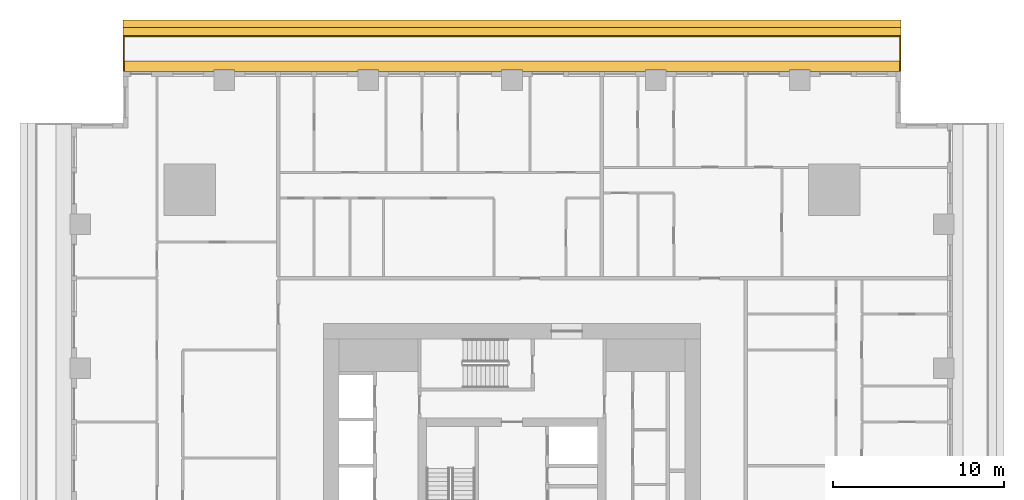
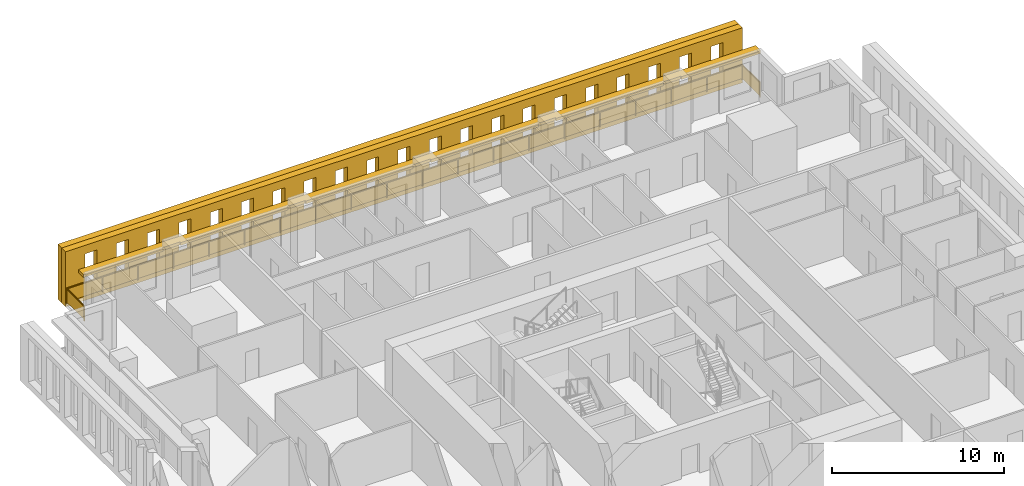
# One storey, part 15 of 15: 3 shading devices, 1 railing.
"""IFC4 building model written with IfcOpenShell, lengths in metres."""

import ifcopenshell
import ifcopenshell.guid

model = None  # the IFC model being written
_history = None  # IfcOwnerHistory: only IFC2X3 demands one
_inside = {}  # id of a spatial element -> (the spatial element, [elements in it])
_under = {}  # id of a project, library or spatial element -> (it, [spatial elements below it])
_declared = {}  # id of a project -> (the project, [libraries it declares])
_typed = {}  # id of a type object -> (the type object, [elements of that type])
_made_of = {}  # id of a material, layer set ... -> (it, [elements and type objects made of it])


def new_model(schema):
    """Start an empty IFC model of exactly this schema.

    Asked for "IFC4X3", IfcOpenShell would pick the latest addendum, in which some entities
    have other attributes; the version numbers below select the first issue.
    IFC2X3 requires an IfcOwnerHistory on every rooted entity: one is made here for all.
    """
    global model, _history
    if schema == "IFC4X3":
        model = ifcopenshell.file(schema_version=(4, 3, 0, 0))
    else:
        model = ifcopenshell.file(schema=schema)
    _inside.clear()
    _under.clear()
    _declared.clear()
    _typed.clear()
    _made_of.clear()
    _history = None
    if model.schema == "IFC2X3":
        org = make("IfcOrganization", Name="unknown")
        user = make(
            "IfcPersonAndOrganization",
            ThePerson=make("IfcPerson", FamilyName="unknown"),
            TheOrganization=org,
        )
        app = make(
            "IfcApplication",
            ApplicationDeveloper=org,
            Version="unknown",
            ApplicationFullName="unknown",
            ApplicationIdentifier="unknown",
        )
        _history = make(
            "IfcOwnerHistory",
            OwningUser=user,
            OwningApplication=app,
            ChangeAction="ADDED",
            CreationDate=0,
        )
    return model


def make(cls, **values):
    """One entity of the class cls with the attributes given. An attribute that is None is left unset."""
    return model.create_entity(
        cls, **{name: value for name, value in values.items() if value is not None}
    )


def rooted(cls, **values):
    """An entity with a GlobalId (a new one), such as an element, a storey or a relation."""
    return make(cls, GlobalId=ifcopenshell.guid.new(), OwnerHistory=_history, **values)


def si_unit(unit_type, name, prefix=None):
    """IfcSIUnit, for example si_unit("LENGTHUNIT", "METRE", prefix="MILLI")."""
    return make("IfcSIUnit", UnitType=unit_type, Prefix=prefix, Name=name)


def assignment(units):
    """IfcUnitAssignment: the units of a project."""
    return None if units is None else make("IfcUnitAssignment", Units=units)


def point(xyz):
    """IfcCartesianPoint."""
    return None if xyz is None else make("IfcCartesianPoint", Coordinates=xyz)


def direction(xyz):
    """IfcDirection."""
    return None if xyz is None else make("IfcDirection", DirectionRatios=xyz)


def frame(location, z_axis=None, x_axis=None):
    """IfcAxis2Placement3D, a coordinate frame: its origin and axes. An axis left out is left unset."""
    return make(
        "IfcAxis2Placement3D",
        Location=point(location),
        Axis=direction(z_axis),
        RefDirection=direction(x_axis),
    )


def frame_2d(location, x_axis=None):
    """IfcAxis2Placement2D, a coordinate frame in the plane: its origin and x axis."""
    return make(
        "IfcAxis2Placement2D", Location=point(location), RefDirection=direction(x_axis)
    )


def origin():
    """The frame at (0, 0, 0) with its axes left unset."""
    return frame((0.0, 0.0, 0.0))


def origin_2d():
    """The frame at (0, 0) in the plane with its x axis left unset."""
    return frame_2d((0.0, 0.0))


def place(relative_to, where):
    """IfcLocalPlacement: puts the frame where relative to a parent placement (None: the world)."""
    return make(
        "IfcLocalPlacement", PlacementRelTo=relative_to, RelativePlacement=where
    )


def context(
    kind, dimensions, precision=None, world=None, true_north=None, identifier=None
):
    """IfcGeometricRepresentationContext, for example the 3D "Model" context."""
    return make(
        "IfcGeometricRepresentationContext",
        ContextIdentifier=identifier,
        ContextType=kind,
        CoordinateSpaceDimension=dimensions,
        Precision=precision,
        WorldCoordinateSystem=world,
        TrueNorth=true_north,
    )


def subcontext(parent, identifier, kind, view, scale=None):
    """IfcGeometricRepresentationSubContext, for example "Body" below "Model"."""
    return make(
        "IfcGeometricRepresentationSubContext",
        ContextIdentifier=identifier,
        ContextType=kind,
        ParentContext=parent,
        TargetScale=scale,
        TargetView=view,
    )


def project(units=None, contexts=None):
    """IfcProject with its units and contexts."""
    return rooted(
        "IfcProject",
        Name="project",
        RepresentationContexts=contexts,
        UnitsInContext=assignment(units),
    )


def spatial(cls, under=None, at=None, **own):
    """A site, building, storey or space (cls), placed at a placement, below another one or the project."""
    s = rooted(cls, ObjectPlacement=at, **own)
    if under is not None:
        _under.setdefault(under.id(), (under, []))[1].append(s)
    return s


def polyline(points):
    """IfcPolyline through the points."""
    return make("IfcPolyline", Points=[point(p) for p in points])


def profile(cls, at=None, kind="AREA", **sizes):
    """A parametric profile (cls). Its sizes go by their IFC names, for example OverallWidth=200.0."""
    return make(cls, ProfileType=kind, Position=at, **sizes)


def rectangle(**sizes):
    """IfcRectangleProfileDef."""
    return profile("IfcRectangleProfileDef", **sizes)


def outline(outer, holes=None, kind="AREA"):
    """IfcArbitraryClosedProfileDef: a profile drawn as a closed curve; with holes, ...WithVoids."""
    if holes is None:
        return make("IfcArbitraryClosedProfileDef", ProfileType=kind, OuterCurve=outer)
    return make(
        "IfcArbitraryProfileDefWithVoids",
        ProfileType=kind,
        OuterCurve=outer,
        InnerCurves=holes,
    )


def extrude(swept, where, along, depth):
    """IfcExtrudedAreaSolid: the profile swept, set in the frame where, extruded along a direction by depth."""
    return make(
        "IfcExtrudedAreaSolid",
        SweptArea=swept,
        Position=where,
        ExtrudedDirection=direction(along),
        Depth=depth,
    )


def shape(context_of_items, identifier, shape_type, items):
    """IfcShapeRepresentation: the items that make up one representation, for example the "Body"."""
    return make(
        "IfcShapeRepresentation",
        ContextOfItems=context_of_items,
        RepresentationIdentifier=identifier,
        RepresentationType=shape_type,
        Items=items,
    )


def material(Name=None, Category=None):
    """IfcMaterial."""
    return make("IfcMaterial", Name=Name, Category=Category)


def layer(
    of_material, thickness, ventilated=None, Name=None, Category=None, Priority=None
):
    """IfcMaterialLayer: one layer of a wall or slab, of a material (None: an air gap)."""
    return make(
        "IfcMaterialLayer",
        Material=of_material,
        LayerThickness=thickness,
        IsVentilated=ventilated,
        Name=Name,
        Category=Category,
        Priority=Priority,
    )


def layer_set(layers, Name=None):
    """IfcMaterialLayerSet."""
    return make("IfcMaterialLayerSet", MaterialLayers=layers, LayerSetName=Name)


def made_of(thing, what):
    """Note that an element or type object is made of a material, layer set ...; save() writes the relation."""
    if what is not None:
        _made_of.setdefault(what.id(), (what, []))[1].append(thing)
    return thing


def type_object(cls, material=None, **own):
    """A type object (cls), such as IfcWallType, which elements share."""
    return made_of(rooted(cls, **own), material)


def element(
    cls,
    number,
    at=None,
    inside=None,
    cuts=None,
    type_object=None,
    material=None,
    context=None,
    identifier="Body",
    shape_type=None,
    held_by="IfcProductDefinitionShape",
    body=None,
    shapes=None,
    **own,
):
    """One element of the class cls, such as IfcWall. Its Tag is "e" and its number.

    at: its placement. inside: the storey or other place that contains it. cuts: it is an
    opening in that element (IfcRelVoidsElement). A single representation is given by context,
    identifier, shape_type and body (its items); several are given by shapes. held_by: the class
    of the entity that holds the representations. save() writes the other relations.
    """
    e = rooted(cls, Tag="e%d" % number, ObjectPlacement=at, **own)
    if body is not None:
        shapes = [shape(context, identifier, shape_type, body)]
    if shapes is not None:
        e.Representation = make(held_by, Representations=shapes)
    if inside is not None:
        _inside.setdefault(inside.id(), (inside, []))[1].append(e)
    if cuts is not None:
        rooted(
            "IfcRelVoidsElement", RelatingBuildingElement=cuts, RelatedOpeningElement=e
        )
    if type_object is not None:
        _typed.setdefault(type_object.id(), (type_object, []))[1].append(e)
    return made_of(e, material)


def aggregate(whole, parts):
    """IfcRelAggregates: a whole, such as a stair, and the parts it consists of."""
    return rooted("IfcRelAggregates", RelatingObject=whole, RelatedObjects=parts)


def save(model, path):
    """Write the relations noted so far, then the file.

    IfcRelAggregates (storeys below a building ...), IfcRelContainedInSpatialStructure (elements
    in a storey), IfcRelDefinesByType, IfcRelAssociatesMaterial and IfcRelDeclares: one each for
    every whole, place, type object, material and project.
    """
    for whole, parts in _under.values():
        aggregate(whole, parts)
    for where, things in _inside.values():
        rooted(
            "IfcRelContainedInSpatialStructure",
            RelatedElements=things,
            RelatingStructure=where,
        )
    for kind, things in _typed.values():
        rooted("IfcRelDefinesByType", RelatedObjects=things, RelatingType=kind)
    for what, things in _made_of.values():
        rooted("IfcRelAssociatesMaterial", RelatedObjects=things, RelatingMaterial=what)
    for by, libraries in _declared.values():
        rooted("IfcRelDeclares", RelatingContext=by, RelatedDefinitions=libraries)
    model.write(path)


model = new_model("IFC4")

# Units and contexts
model_context = context("Model", 3, precision=1e-05, world=origin(), true_north=direction((0.0, 1.0)))
body_context = subcontext(model_context, "Body", "Model", "MODEL_VIEW")
ifc_project = project(units=[si_unit("LENGTHUNIT", "METRE"), si_unit("AREAUNIT", "SQUARE_METRE"), si_unit("VOLUMEUNIT", "CUBIC_METRE"), si_unit("PLANEANGLEUNIT", "RADIAN"), si_unit("MASSUNIT", "GRAM", prefix="KILO")], contexts=[model_context])

# Site, building, storey
site_placement = place(None, origin())
site = spatial("IfcSite", under=ifc_project, at=site_placement, CompositionType="ELEMENT")
building_placement = place(site_placement, origin())
building = spatial("IfcBuilding", under=site, at=building_placement, Name="Khepri Terraces", CompositionType="ELEMENT")
storey_placement = place(building_placement, frame((0.0, 0.0, 46.5)))
storey = spatial("IfcBuildingStorey", under=building, at=storey_placement, Name="L10", CompositionType="ELEMENT", Elevation=46.5)

# Railing
ifc_material_1 = material(Name="Stainless steel grade 316", Category="steel")
railing_type = type_object("IfcRailingType", Name="GRD-BAL-1100", PredefinedType="GUARDRAIL", material=ifc_material_1)
railing_placement = place(storey_placement, frame((22.669921875, 25.719970703125, 0.0)))
element("IfcRailing", 1, at=railing_placement, inside=storey, type_object=railing_type, Name="Balcony guard L10 N", PredefinedType="GUARDRAIL", context=body_context, shape_type="SweptSolid", body=[
    extrude(rectangle(XDim=0.050048828125, YDim=0.06005859375, at=origin_2d()), frame((0.0, 0.0, 1.070068359375), z_axis=(0.0, 1.0, 0.0), x_axis=(-1.0, 0.0, 0.0)), (0.0, 0.0, 1.0), 2.050048828125),
    extrude(rectangle(XDim=2.0, YDim=0.011962890625, at=origin_2d()), frame((0.0, 1.02490234375, 0.10009765625), z_axis=(0.0, 0.0, 1.0), x_axis=(0.0, 1.0, 0.0)), (0.0, 0.0, 1.0), 0.93994140625),
    extrude(rectangle(XDim=0.050048828125, YDim=0.06005859375, at=origin_2d()), frame((0.0, 2.050048828125, 1.070068359375), z_axis=(-1.0, 0.0, 0.0), x_axis=(0.0, -1.0, 0.0)), (0.0, 0.0, 1.0), 45.33984375),
    extrude(rectangle(XDim=2.336181640625, YDim=0.011962890625, at=origin_2d()), frame((-1.193115234375, 2.050048828125, 0.10009765625), z_axis=(0.0, 0.0, 1.0), x_axis=(-1.0, 0.0, 0.0)), (0.0, 0.0, 1.0), 0.93994140625),
    extrude(rectangle(XDim=2.336181640625, YDim=0.011962890625, at=origin_2d()), frame((-3.579345703125, 2.050048828125, 0.10009765625), z_axis=(0.0, 0.0, 1.0), x_axis=(-1.0, 0.0, 0.0)), (0.0, 0.0, 1.0), 0.93994140625),
    extrude(rectangle(XDim=2.336181640625, YDim=0.011962890625, at=origin_2d()), frame((-5.9658203125, 2.050048828125, 0.10009765625), z_axis=(0.0, 0.0, 1.0), x_axis=(-1.0, 0.0, 0.0)), (0.0, 0.0, 1.0), 0.93994140625),
    extrude(rectangle(XDim=2.336181640625, YDim=0.011962890625, at=origin_2d()), frame((-8.35205078125, 2.050048828125, 0.10009765625), z_axis=(0.0, 0.0, 1.0), x_axis=(-1.0, 0.0, 0.0)), (0.0, 0.0, 1.0), 0.93994140625),
    extrude(rectangle(XDim=2.336181640625, YDim=0.011962890625, at=origin_2d()), frame((-10.73828125, 2.050048828125, 0.10009765625), z_axis=(0.0, 0.0, 1.0), x_axis=(-1.0, 0.0, 0.0)), (0.0, 0.0, 1.0), 0.93994140625),
    extrude(rectangle(XDim=2.336181640625, YDim=0.011962890625, at=origin_2d()), frame((-13.124755859375, 2.050048828125, 0.10009765625), z_axis=(0.0, 0.0, 1.0), x_axis=(-1.0, 0.0, 0.0)), (0.0, 0.0, 1.0), 0.93994140625),
    extrude(rectangle(XDim=2.336181640625, YDim=0.011962890625, at=origin_2d()), frame((-15.510986328125, 2.050048828125, 0.10009765625), z_axis=(0.0, 0.0, 1.0), x_axis=(-1.0, 0.0, 0.0)), (0.0, 0.0, 1.0), 0.93994140625),
    extrude(rectangle(XDim=2.336181640625, YDim=0.011962890625, at=origin_2d()), frame((-17.897216796875, 2.050048828125, 0.10009765625), z_axis=(0.0, 0.0, 1.0), x_axis=(-1.0, 0.0, 0.0)), (0.0, 0.0, 1.0), 0.93994140625),
    extrude(rectangle(XDim=2.336181640625, YDim=0.011962890625, at=origin_2d()), frame((-20.28369140625, 2.050048828125, 0.10009765625), z_axis=(0.0, 0.0, 1.0), x_axis=(-1.0, 0.0, 0.0)), (0.0, 0.0, 1.0), 0.93994140625),
    extrude(rectangle(XDim=2.336181640625, YDim=0.011962890625, at=origin_2d()), frame((-22.669921875, 2.050048828125, 0.10009765625), z_axis=(0.0, 0.0, 1.0), x_axis=(-1.0, 0.0, 0.0)), (0.0, 0.0, 1.0), 0.93994140625),
    extrude(rectangle(XDim=2.336181640625, YDim=0.011962890625, at=origin_2d()), frame((-25.05615234375, 2.050048828125, 0.10009765625), z_axis=(0.0, 0.0, 1.0), x_axis=(-1.0, 0.0, 0.0)), (0.0, 0.0, 1.0), 0.93994140625),
    extrude(rectangle(XDim=2.336181640625, YDim=0.011962890625, at=origin_2d()), frame((-27.442626953125, 2.050048828125, 0.10009765625), z_axis=(0.0, 0.0, 1.0), x_axis=(-1.0, 0.0, 0.0)), (0.0, 0.0, 1.0), 0.93994140625),
    extrude(rectangle(XDim=2.336181640625, YDim=0.011962890625, at=origin_2d()), frame((-29.828857421875, 2.050048828125, 0.10009765625), z_axis=(0.0, 0.0, 1.0), x_axis=(-1.0, 0.0, 0.0)), (0.0, 0.0, 1.0), 0.93994140625),
    extrude(rectangle(XDim=2.336181640625, YDim=0.011962890625, at=origin_2d()), frame((-32.215087890625, 2.050048828125, 0.10009765625), z_axis=(0.0, 0.0, 1.0), x_axis=(-1.0, 0.0, 0.0)), (0.0, 0.0, 1.0), 0.93994140625),
    extrude(rectangle(XDim=2.336181640625, YDim=0.011962890625, at=origin_2d()), frame((-34.6015625, 2.050048828125, 0.10009765625), z_axis=(0.0, 0.0, 1.0), x_axis=(-1.0, 0.0, 0.0)), (0.0, 0.0, 1.0), 0.93994140625),
    extrude(rectangle(XDim=2.336181640625, YDim=0.011962890625, at=origin_2d()), frame((-36.98779296875, 2.050048828125, 0.10009765625), z_axis=(0.0, 0.0, 1.0), x_axis=(-1.0, 0.0, 0.0)), (0.0, 0.0, 1.0), 0.93994140625),
    extrude(rectangle(XDim=2.336181640625, YDim=0.011962890625, at=origin_2d()), frame((-39.3740234375, 2.050048828125, 0.10009765625), z_axis=(0.0, 0.0, 1.0), x_axis=(-1.0, 0.0, 0.0)), (0.0, 0.0, 1.0), 0.93994140625),
    extrude(rectangle(XDim=2.336181640625, YDim=0.011962890625, at=origin_2d()), frame((-41.760498046875, 2.050048828125, 0.10009765625), z_axis=(0.0, 0.0, 1.0), x_axis=(-1.0, 0.0, 0.0)), (0.0, 0.0, 1.0), 0.93994140625),
    extrude(rectangle(XDim=2.336181640625, YDim=0.011962890625, at=origin_2d()), frame((-44.146728515625, 2.050048828125, 0.10009765625), z_axis=(0.0, 0.0, 1.0), x_axis=(-1.0, 0.0, 0.0)), (0.0, 0.0, 1.0), 0.93994140625),
    extrude(rectangle(XDim=0.050048828125, YDim=0.06005859375, at=origin_2d()), frame((-45.33984375, 2.050048828125, 1.070068359375), z_axis=(0.0, -1.0, 0.0), x_axis=(1.0, 0.0, 0.0)), (0.0, 0.0, 1.0), 2.050048828125),
    extrude(rectangle(XDim=2.0, YDim=0.011962890625, at=origin_2d()), frame((-45.33984375, 1.02490234375, 0.10009765625), z_axis=(0.0, 0.0, 1.0), x_axis=(0.0, -1.0, 0.0)), (0.0, 0.0, 1.0), 0.93994140625),
    extrude(rectangle(XDim=0.050048828125, YDim=0.050048828125, at=origin_2d()), origin(), (0.0, 0.0, 1.0), 1.0400390625),
    extrude(rectangle(XDim=0.050048828125, YDim=0.050048828125, at=origin_2d()), frame((0.0, 2.050048828125, 0.0)), (0.0, 0.0, 1.0), 1.0400390625),
    extrude(rectangle(XDim=0.050048828125, YDim=0.050048828125, at=origin_2d()), frame((-2.38623046875, 2.050048828125, 0.0)), (0.0, 0.0, 1.0), 1.0400390625),
    extrude(rectangle(XDim=0.050048828125, YDim=0.050048828125, at=origin_2d()), frame((-4.772705078125, 2.050048828125, 0.0)), (0.0, 0.0, 1.0), 1.0400390625),
    extrude(rectangle(XDim=0.050048828125, YDim=0.050048828125, at=origin_2d()), frame((-7.158935546875, 2.050048828125, 0.0)), (0.0, 0.0, 1.0), 1.0400390625),
    extrude(rectangle(XDim=0.050048828125, YDim=0.050048828125, at=origin_2d()), frame((-9.545166015625, 2.050048828125, 0.0)), (0.0, 0.0, 1.0), 1.0400390625),
    extrude(rectangle(XDim=0.050048828125, YDim=0.050048828125, at=origin_2d()), frame((-11.931640625, 2.050048828125, 0.0)), (0.0, 0.0, 1.0), 1.0400390625),
    extrude(rectangle(XDim=0.050048828125, YDim=0.050048828125, at=origin_2d()), frame((-14.31787109375, 2.050048828125, 0.0)), (0.0, 0.0, 1.0), 1.0400390625),
    extrude(rectangle(XDim=0.050048828125, YDim=0.050048828125, at=origin_2d()), frame((-16.7041015625, 2.050048828125, 0.0)), (0.0, 0.0, 1.0), 1.0400390625),
    extrude(rectangle(XDim=0.050048828125, YDim=0.050048828125, at=origin_2d()), frame((-19.090576171875, 2.050048828125, 0.0)), (0.0, 0.0, 1.0), 1.0400390625),
    extrude(rectangle(XDim=0.050048828125, YDim=0.050048828125, at=origin_2d()), frame((-21.476806640625, 2.050048828125, 0.0)), (0.0, 0.0, 1.0), 1.0400390625),
    extrude(rectangle(XDim=0.050048828125, YDim=0.050048828125, at=origin_2d()), frame((-23.863037109375, 2.050048828125, 0.0)), (0.0, 0.0, 1.0), 1.0400390625),
    extrude(rectangle(XDim=0.050048828125, YDim=0.050048828125, at=origin_2d()), frame((-26.249267578125, 2.050048828125, 0.0)), (0.0, 0.0, 1.0), 1.0400390625),
    extrude(rectangle(XDim=0.050048828125, YDim=0.050048828125, at=origin_2d()), frame((-28.6357421875, 2.050048828125, 0.0)), (0.0, 0.0, 1.0), 1.0400390625),
    extrude(rectangle(XDim=0.050048828125, YDim=0.050048828125, at=origin_2d()), frame((-31.02197265625, 2.050048828125, 0.0)), (0.0, 0.0, 1.0), 1.0400390625),
    extrude(rectangle(XDim=0.050048828125, YDim=0.050048828125, at=origin_2d()), frame((-33.408203125, 2.050048828125, 0.0)), (0.0, 0.0, 1.0), 1.0400390625),
    extrude(rectangle(XDim=0.050048828125, YDim=0.050048828125, at=origin_2d()), frame((-35.794677734375, 2.050048828125, 0.0)), (0.0, 0.0, 1.0), 1.0400390625),
    extrude(rectangle(XDim=0.050048828125, YDim=0.050048828125, at=origin_2d()), frame((-38.180908203125, 2.050048828125, 0.0)), (0.0, 0.0, 1.0), 1.0400390625),
    extrude(rectangle(XDim=0.050048828125, YDim=0.050048828125, at=origin_2d()), frame((-40.567138671875, 2.050048828125, 0.0)), (0.0, 0.0, 1.0), 1.0400390625),
    extrude(rectangle(XDim=0.050048828125, YDim=0.050048828125, at=origin_2d()), frame((-42.95361328125, 2.050048828125, 0.0)), (0.0, 0.0, 1.0), 1.0400390625),
    extrude(rectangle(XDim=0.050048828125, YDim=0.050048828125, at=origin_2d()), frame((-45.33984375, 2.050048828125, 0.0)), (0.0, 0.0, 1.0), 1.0400390625),
    extrude(rectangle(XDim=0.050048828125, YDim=0.050048828125, at=origin_2d()), frame((-45.33984375, 0.0, 0.0)), (0.0, 0.0, 1.0), 1.0400390625),
])

# Shading devices
ifc_material_2 = material(Name="Precast concrete C50/60 warm stone", Category="masonry")
shading_device_type_1 = type_object("IfcShadingDeviceType", Name="SCR-CELL-INNER-450", PredefinedType="USERDEFINED", material=ifc_material_2)
shading_device_1_placement = place(storey_placement, frame((22.719970703125, 27.820068359375, -0.25), z_axis=(0.0, 1.0, 0.0), x_axis=(-1.0, 0.0, 0.0)))
element("IfcShadingDevice", 2, at=shading_device_1_placement, inside=storey, type_object=shading_device_type_1, Name="Cell screen L10 N in", ObjectType="SCREEN", PredefinedType="USERDEFINED", context=body_context, shape_type="SweptSolid", body=[
    extrude(outline(polyline([(0.0, 0.0), (45.43994140625, 0.0), (45.43994140625, 3.89990234375), (0.0, 3.89990234375), (0.0, 0.0)]), holes=[polyline([(1.318359375, 0.699951171875), (2.12158203125, 0.699951171875), (2.12158203125, 3.300048828125), (1.318359375, 3.300048828125), (1.318359375, 0.699951171875)]), polyline([(3.41845703125, 0.699951171875), (4.2216796875, 0.699951171875), (4.2216796875, 3.300048828125), (3.41845703125, 3.300048828125), (3.41845703125, 0.699951171875)]), polyline([(5.518310546875, 0.699951171875), (6.321533203125, 0.699951171875), (6.321533203125, 3.300048828125), (5.518310546875, 3.300048828125), (5.518310546875, 0.699951171875)]), polyline([(7.618408203125, 0.699951171875), (8.421630859375, 0.699951171875), (8.421630859375, 3.300048828125), (7.618408203125, 3.300048828125), (7.618408203125, 0.699951171875)]), polyline([(9.718505859375, 0.699951171875), (10.521484375, 0.699951171875), (10.521484375, 3.300048828125), (9.718505859375, 3.300048828125), (9.718505859375, 0.699951171875)]), polyline([(11.818359375, 0.699951171875), (12.62158203125, 0.699951171875), (12.62158203125, 3.300048828125), (11.818359375, 3.300048828125), (11.818359375, 0.699951171875)]), polyline([(13.91845703125, 0.699951171875), (14.7216796875, 0.699951171875), (14.7216796875, 3.300048828125), (13.91845703125, 3.300048828125), (13.91845703125, 0.699951171875)]), polyline([(16.018310546875, 0.699951171875), (16.821533203125, 0.699951171875), (16.821533203125, 3.300048828125), (16.018310546875, 3.300048828125), (16.018310546875, 0.699951171875)]), polyline([(18.118408203125, 0.699951171875), (18.921630859375, 0.699951171875), (18.921630859375, 3.300048828125), (18.118408203125, 3.300048828125), (18.118408203125, 0.699951171875)]), polyline([(20.218505859375, 0.699951171875), (21.021484375, 0.699951171875), (21.021484375, 3.300048828125), (20.218505859375, 3.300048828125), (20.218505859375, 0.699951171875)]), polyline([(22.318359375, 0.699951171875), (23.12158203125, 0.699951171875), (23.12158203125, 3.300048828125), (22.318359375, 3.300048828125), (22.318359375, 0.699951171875)]), polyline([(24.41845703125, 0.699951171875), (25.2216796875, 0.699951171875), (25.2216796875, 3.300048828125), (24.41845703125, 3.300048828125), (24.41845703125, 0.699951171875)]), polyline([(26.518310546875, 0.699951171875), (27.321533203125, 0.699951171875), (27.321533203125, 3.300048828125), (26.518310546875, 3.300048828125), (26.518310546875, 0.699951171875)]), polyline([(28.618408203125, 0.699951171875), (29.421630859375, 0.699951171875), (29.421630859375, 3.300048828125), (28.618408203125, 3.300048828125), (28.618408203125, 0.699951171875)]), polyline([(30.718505859375, 0.699951171875), (31.521484375, 0.699951171875), (31.521484375, 3.300048828125), (30.718505859375, 3.300048828125), (30.718505859375, 0.699951171875)]), polyline([(32.818359375, 0.699951171875), (33.62158203125, 0.699951171875), (33.62158203125, 3.300048828125), (32.818359375, 3.300048828125), (32.818359375, 0.699951171875)]), polyline([(34.91845703125, 0.699951171875), (35.7216796875, 0.699951171875), (35.7216796875, 3.300048828125), (34.91845703125, 3.300048828125), (34.91845703125, 0.699951171875)]), polyline([(37.018310546875, 0.699951171875), (37.821533203125, 0.699951171875), (37.821533203125, 3.300048828125), (37.018310546875, 3.300048828125), (37.018310546875, 0.699951171875)]), polyline([(39.118408203125, 0.699951171875), (39.921630859375, 0.699951171875), (39.921630859375, 3.300048828125), (39.118408203125, 3.300048828125), (39.118408203125, 0.699951171875)]), polyline([(41.218505859375, 0.699951171875), (42.021484375, 0.699951171875), (42.021484375, 3.300048828125), (41.218505859375, 3.300048828125), (41.218505859375, 0.699951171875)]), polyline([(43.318359375, 0.699951171875), (44.12158203125, 0.699951171875), (44.12158203125, 3.300048828125), (43.318359375, 3.300048828125), (43.318359375, 0.699951171875)])]), origin(), (0.0, 0.0, 1.0), 0.449951171875),
])
shading_device_type_2 = type_object("IfcShadingDeviceType", Name="SCR-CELL-OUTER-450", PredefinedType="USERDEFINED", material=ifc_material_2)
shading_device_2_placement = place(storey_placement, frame((22.719970703125, 28.27001953125, -0.25), z_axis=(0.0, 1.0, 0.0), x_axis=(-1.0, 0.0, 0.0)))
element("IfcShadingDevice", 3, at=shading_device_2_placement, inside=storey, type_object=shading_device_type_2, Name="Cell screen L10 N out", ObjectType="SCREEN", PredefinedType="USERDEFINED", context=body_context, shape_type="SweptSolid", body=[
    extrude(outline(polyline([(0.0, 0.0), (45.43994140625, 0.0), (45.43994140625, 3.89990234375), (0.0, 3.89990234375), (0.0, 0.0)]), holes=[polyline([(0.968505859375, 0.449951171875), (2.4716796875, 0.449951171875), (2.4716796875, 3.550048828125), (0.968505859375, 3.550048828125), (0.968505859375, 0.449951171875)]), polyline([(3.068359375, 0.449951171875), (4.571533203125, 0.449951171875), (4.571533203125, 3.550048828125), (3.068359375, 3.550048828125), (3.068359375, 0.449951171875)]), polyline([(5.16845703125, 0.449951171875), (6.671630859375, 0.449951171875), (6.671630859375, 3.550048828125), (5.16845703125, 3.550048828125), (5.16845703125, 0.449951171875)]), polyline([(7.268310546875, 0.449951171875), (8.771484375, 0.449951171875), (8.771484375, 3.550048828125), (7.268310546875, 3.550048828125), (7.268310546875, 0.449951171875)]), polyline([(9.368408203125, 0.449951171875), (10.87158203125, 0.449951171875), (10.87158203125, 3.550048828125), (9.368408203125, 3.550048828125), (9.368408203125, 0.449951171875)]), polyline([(11.468505859375, 0.449951171875), (12.9716796875, 0.449951171875), (12.9716796875, 3.550048828125), (11.468505859375, 3.550048828125), (11.468505859375, 0.449951171875)]), polyline([(13.568359375, 0.449951171875), (15.071533203125, 0.449951171875), (15.071533203125, 3.550048828125), (13.568359375, 3.550048828125), (13.568359375, 0.449951171875)]), polyline([(15.66845703125, 0.449951171875), (17.171630859375, 0.449951171875), (17.171630859375, 3.550048828125), (15.66845703125, 3.550048828125), (15.66845703125, 0.449951171875)]), polyline([(17.768310546875, 0.449951171875), (19.271484375, 0.449951171875), (19.271484375, 3.550048828125), (17.768310546875, 3.550048828125), (17.768310546875, 0.449951171875)]), polyline([(19.868408203125, 0.449951171875), (21.37158203125, 0.449951171875), (21.37158203125, 3.550048828125), (19.868408203125, 3.550048828125), (19.868408203125, 0.449951171875)]), polyline([(21.968505859375, 0.449951171875), (23.4716796875, 0.449951171875), (23.4716796875, 3.550048828125), (21.968505859375, 3.550048828125), (21.968505859375, 0.449951171875)]), polyline([(24.068359375, 0.449951171875), (25.571533203125, 0.449951171875), (25.571533203125, 3.550048828125), (24.068359375, 3.550048828125), (24.068359375, 0.449951171875)]), polyline([(26.16845703125, 0.449951171875), (27.671630859375, 0.449951171875), (27.671630859375, 3.550048828125), (26.16845703125, 3.550048828125), (26.16845703125, 0.449951171875)]), polyline([(28.268310546875, 0.449951171875), (29.771484375, 0.449951171875), (29.771484375, 3.550048828125), (28.268310546875, 3.550048828125), (28.268310546875, 0.449951171875)]), polyline([(30.368408203125, 0.449951171875), (31.87158203125, 0.449951171875), (31.87158203125, 3.550048828125), (30.368408203125, 3.550048828125), (30.368408203125, 0.449951171875)]), polyline([(32.468505859375, 0.449951171875), (33.9716796875, 0.449951171875), (33.9716796875, 3.550048828125), (32.468505859375, 3.550048828125), (32.468505859375, 0.449951171875)]), polyline([(34.568359375, 0.449951171875), (36.071533203125, 0.449951171875), (36.071533203125, 3.550048828125), (34.568359375, 3.550048828125), (34.568359375, 0.449951171875)]), polyline([(36.66845703125, 0.449951171875), (38.171630859375, 0.449951171875), (38.171630859375, 3.550048828125), (36.66845703125, 3.550048828125), (36.66845703125, 0.449951171875)]), polyline([(38.768310546875, 0.449951171875), (40.271484375, 0.449951171875), (40.271484375, 3.550048828125), (38.768310546875, 3.550048828125), (38.768310546875, 0.449951171875)]), polyline([(40.868408203125, 0.449951171875), (42.37158203125, 0.449951171875), (42.37158203125, 3.550048828125), (40.868408203125, 3.550048828125), (40.868408203125, 0.449951171875)]), polyline([(42.968505859375, 0.449951171875), (44.4716796875, 0.449951171875), (44.4716796875, 3.550048828125), (42.968505859375, 3.550048828125), (42.968505859375, 0.449951171875)])]), origin(), (0.0, 0.0, 1.0), 0.449951171875),
])
ifc_layer = layer(ifc_material_2, 0.199951171875, Name="Precast concrete C50/60 warm stone", Category="masonry")
ifc_layer_set = layer_set([ifc_layer], Name="Precast concrete C50/60 warm stone")
shading_device_type_3 = type_object("IfcShadingDeviceType", Name="SSH-BAND-STONE-200-N", PredefinedType="USERDEFINED", material=ifc_layer_set)
shading_device_3_placement = place(storey_placement, frame((0.0, 0.0, 3.10009765625)))
element("IfcShadingDevice", 4, at=shading_device_3_placement, inside=storey, type_object=shading_device_type_3, Name="Sunshade band L10 N", ObjectType="SUNSHADE", PredefinedType="USERDEFINED", context=body_context, shape_type="SweptSolid", body=[
    extrude(outline(polyline([(17.39990234375, 25.719970703125), (22.719970703125, 25.719970703125), (22.719970703125, 26.320068359375), (-22.719970703125, 26.320068359375), (-22.719970703125, 25.719970703125), (-17.39990234375, 25.719970703125), (-17.39990234375, 25.800048828125), (-16.199951171875, 25.800048828125), (-16.199951171875, 25.719970703125), (-9.0, 25.719970703125), (-9.0, 25.800048828125), (-7.800048828125, 25.800048828125), (-7.800048828125, 25.719970703125), (-0.60009765625, 25.719970703125), (-0.60009765625, 25.800048828125), (0.60009765625, 25.800048828125), (0.60009765625, 25.719970703125), (7.800048828125, 25.719970703125), (7.800048828125, 25.800048828125), (9.0, 25.800048828125), (9.0, 25.719970703125), (16.199951171875, 25.719970703125), (16.199951171875, 25.800048828125), (17.39990234375, 25.800048828125), (17.39990234375, 25.719970703125)])), origin(), (0.0, 0.0, 1.0), 0.199951171875),
])

save(model, "model.ifc")
